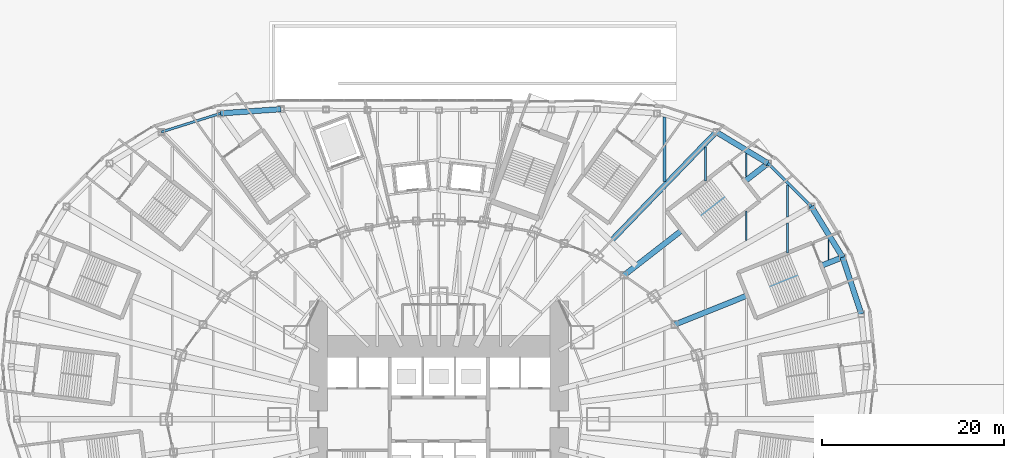
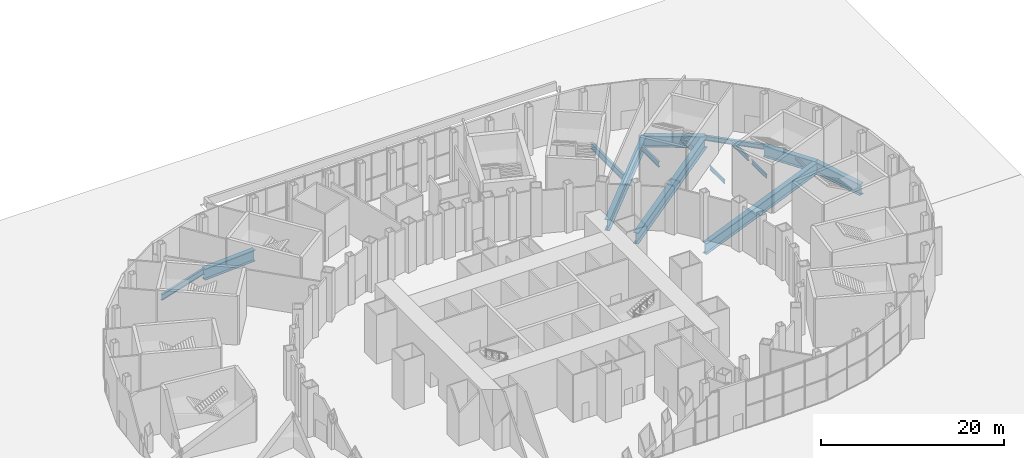
# One storey, part 10 of 47: 16 beams.
"""IFC4 building model written with IfcOpenShell, lengths in metres."""

from ifc_helpers import new_model, si_unit, direction, frame, origin, origin_2d, place, context, subcontext, project, spatial, i_section, extrude, material, material_profile, profile_set, type_object, element, save


model = new_model("IFC4")

# Units and contexts
model_context = context("Model", 3, precision=1e-05, world=origin(), true_north=direction((0.0, 1.0)))
body_context = subcontext(model_context, "Body", "Model", "MODEL_VIEW")
ifc_project = project(units=[si_unit("LENGTHUNIT", "METRE"), si_unit("AREAUNIT", "SQUARE_METRE"), si_unit("VOLUMEUNIT", "CUBIC_METRE"), si_unit("PLANEANGLEUNIT", "RADIAN"), si_unit("MASSUNIT", "GRAM", prefix="KILO")], contexts=[model_context])

# Site, building, storey
site_placement = place(None, origin())
site = spatial("IfcSite", under=ifc_project, at=site_placement, CompositionType="ELEMENT")
building_placement = place(site_placement, origin())
building = spatial("IfcBuilding", under=site, at=building_placement, Name="Lantaw Convention Tower", CompositionType="ELEMENT")
storey_placement = place(building_placement, origin())
storey = spatial("IfcBuildingStorey", under=building, at=storey_placement, Name="L00", CompositionType="ELEMENT", Elevation=0.0)

# Beams
ifc_material_1 = material(Name="Steel ASTM A572 Grade 50", Category="steel")
ifc_material_profile_1 = material_profile(ifc_material_1, i_section(OverallWidth=0.60009765625, OverallDepth=1.5, WebThickness=0.02490234375, FlangeThickness=0.06005859375, at=origin_2d()), Name="PG1500X600X25X60")
ifc_profile_set_1 = profile_set([ifc_material_profile_1], Name="Steel ASTM A572 Grade 50")
beam_type_1 = type_object("IfcBeamType", Name="Beam E PG1500X600X25X60", PredefinedType="SPANDREL", material=ifc_profile_set_1)
beam_1_placement = place(storey_placement, frame((46.342529296875, 11.554443359375, -1.199951171875), z_axis=(-0.312739573604, 0.949838912186, 0.0), x_axis=(-0.949838912186, -0.312739573604, 0.0)))
element("IfcBeam", 1, at=beam_1_placement, inside=storey, type_object=beam_type_1, Name="Podium edge beam R01", PredefinedType="SPANDREL", context=body_context, shape_type="SweptSolid", body=[
    extrude(i_section(OverallWidth=0.60009765625, OverallDepth=1.5, WebThickness=0.02490234375, FlangeThickness=0.06005859375, at=origin_2d()), origin(), (0.0, 0.0, 1.0), 6.55517578125),
])
beam_2_placement = place(storey_placement, frame((44.29248046875, 17.78076171875, -1.199951171875), z_axis=(-0.524178644867, 0.851608330317, 0.0), x_axis=(-0.851608330317, -0.524178644867, 0.0)))
element("IfcBeam", 2, at=beam_2_placement, inside=storey, type_object=beam_type_1, Name="Podium edge beam B01", PredefinedType="SPANDREL", context=body_context, shape_type="SweptSolid", body=[
    extrude(i_section(OverallWidth=0.60009765625, OverallDepth=1.5, WebThickness=0.02490234375, FlangeThickness=0.06005859375, at=origin_2d()), origin(), (0.0, 0.0, 1.0), 6.54052734375),
])
beam_3_placement = place(storey_placement, frame((36.107666015625, 28.081298828125, -1.199951171875), z_axis=(-0.855269526547, 0.518183400893, 0.0), x_axis=(-0.518183400893, -0.855269526547, 0.0)))
element("IfcBeam", 3, at=beam_3_placement, inside=storey, type_object=beam_type_1, Name="Podium edge beam B02", PredefinedType="SPANDREL", context=body_context, shape_type="SweptSolid", body=[
    extrude(i_section(OverallWidth=0.60009765625, OverallDepth=1.5, WebThickness=0.02490234375, FlangeThickness=0.06005859375, at=origin_2d()), origin(), (0.0, 0.0, 1.0), 6.63134765625),
])
beam_4_placement = place(storey_placement, frame((-17.333984375, 34.019775390625, -1.199951171875), z_axis=(-0.997615470709, -0.069017190627, 0.0), x_axis=(0.069017190627, -0.997615470709, 0.0)))
element("IfcBeam", 4, at=beam_4_placement, inside=storey, type_object=beam_type_1, Name="Podium edge beam R08", PredefinedType="SPANDREL", context=body_context, shape_type="SweptSolid", body=[
    extrude(i_section(OverallWidth=0.60009765625, OverallDepth=1.5, WebThickness=0.02490234375, FlangeThickness=0.06005859375, at=origin_2d()), origin(), (0.0, 0.0, 1.0), 6.6220703125),
])
ifc_material_2 = material(Name="Steel ASTM A992", Category="steel")
ifc_material_profile_2 = material_profile(ifc_material_2, i_section(OverallWidth=0.3251953125, OverallDepth=0.612060546875, WebThickness=0.0126953125, FlangeThickness=0.01904296875, FilletRadius=0.0126953125, at=origin_2d()), Name="W24X104")
ifc_profile_set_2 = profile_set([ifc_material_profile_2], Name="Steel ASTM A992")
beam_type_2 = type_object("IfcBeamType", Name="Beam E W24X104", PredefinedType="SPANDREL", material=ifc_profile_set_2)
beam_5_placement = place(storey_placement, frame((40.864013671875, 23.350830078125, -0.756103515625), z_axis=(-0.709033046271, 0.705175254314, 0.0), x_axis=(-0.705175254314, -0.709033046271, 0.0)))
element("IfcBeam", 5, at=beam_5_placement, inside=storey, type_object=beam_type_2, Name="Podium edge beam R02", PredefinedType="SPANDREL", context=body_context, shape_type="SweptSolid", body=[
    extrude(i_section(OverallWidth=0.3251953125, OverallDepth=0.612060546875, WebThickness=0.0126953125, FlangeThickness=0.01904296875, FilletRadius=0.0126953125, at=origin_2d()), origin(), (0.0, 0.0, 1.0), 6.708251953125),
])
ifc_material_profile_3 = material_profile(ifc_material_2, i_section(OverallWidth=0.2666015625, OverallDepth=0.76953125, WebThickness=0.015625, FlangeThickness=0.025390625, FilletRadius=0.0126953125, at=origin_2d()), Name="W30X132")
ifc_profile_set_3 = profile_set([ifc_material_profile_3], Name="Steel ASTM A992")
beam_type_3 = type_object("IfcBeamType", Name="Beam E W30X132", PredefinedType="SPANDREL", material=ifc_profile_set_3)
beam_6_placement = place(storey_placement, frame((-23.940185546875, 33.562744140625, -0.834716796875), z_axis=(-0.953841834513, -0.300309431643, 0.0), x_axis=(0.300309431643, -0.953841834513, 0.0)))
element("IfcBeam", 6, at=beam_6_placement, inside=storey, type_object=beam_type_3, Name="Podium edge beam B08", PredefinedType="SPANDREL", context=body_context, shape_type="SweptSolid", body=[
    extrude(i_section(OverallWidth=0.2666015625, OverallDepth=0.76953125, WebThickness=0.015625, FlangeThickness=0.025390625, FilletRadius=0.0126953125, at=origin_2d()), origin(), (0.0, 0.0, 1.0), 6.810302734375),
])
ifc_material_profile_4 = material_profile(ifc_material_2, i_section(OverallWidth=0.15234375, OverallDepth=0.449462890625, WebThickness=0.007568359375, FlangeThickness=0.0107421875, FilletRadius=0.01025390625, at=origin_2d()), Name="W18X35")
ifc_profile_set_4 = profile_set([ifc_material_profile_4], Name="Steel ASTM A992")
beam_type_4 = type_object("IfcBeamType", Name="Beam J W18X35", PredefinedType="JOIST", material=ifc_profile_set_4)
beam_7_placement = place(storey_placement, frame((42.75, 17.48486328125, -0.6748046875), z_axis=(0.0, 1.0, 0.0), x_axis=(-1.0, 0.0, 0.0)))
element("IfcBeam", 7, at=beam_7_placement, inside=storey, type_object=beam_type_4, Name="Floor joist", PredefinedType="JOIST", context=body_context, shape_type="SweptSolid", body=[
    extrude(i_section(OverallWidth=0.15234375, OverallDepth=0.449462890625, WebThickness=0.007568359375, FlangeThickness=0.0107421875, FilletRadius=0.01025390625, at=origin_2d()), origin(), (0.0, 0.0, 1.0), 2.2294921875),
])
ifc_material_profile_5 = material_profile(ifc_material_2, i_section(OverallWidth=0.1650390625, OverallDepth=0.52587890625, WebThickness=0.0087890625, FlangeThickness=0.011474609375, FilletRadius=0.0126953125, at=origin_2d()), Name="W21X44")
ifc_profile_set_5 = profile_set([ifc_material_profile_5], Name="Steel ASTM A992")
beam_type_5 = type_object("IfcBeamType", Name="Beam J W21X44", PredefinedType="JOIST", material=ifc_profile_set_5)
beam_8_placement = place(storey_placement, frame((33.75, 19.63134765625, -0.712890625), z_axis=(0.0, 1.0, 0.0), x_axis=(-1.0, 0.0, 0.0)))
element("IfcBeam", 8, at=beam_8_placement, inside=storey, type_object=beam_type_5, Name="Floor joist", PredefinedType="JOIST", context=body_context, shape_type="SweptSolid", body=[
    extrude(i_section(OverallWidth=0.1650390625, OverallDepth=0.52587890625, WebThickness=0.0087890625, FlangeThickness=0.011474609375, FilletRadius=0.0126953125, at=origin_2d()), origin(), (0.0, 0.0, 1.0), 3.19580078125),
])
beam_9_placement = place(storey_placement, frame((33.75, 26.627685546875, -0.712890625), z_axis=(0.0, 1.0, 0.0), x_axis=(-1.0, 0.0, 0.0)))
element("IfcBeam", 9, at=beam_9_placement, inside=storey, type_object=beam_type_5, Name="Floor joist", PredefinedType="JOIST", context=body_context, shape_type="SweptSolid", body=[
    extrude(i_section(OverallWidth=0.1650390625, OverallDepth=0.52587890625, WebThickness=0.0087890625, FlangeThickness=0.011474609375, FilletRadius=0.0126953125, at=origin_2d()), origin(), (0.0, 0.0, 1.0), 2.53125),
])
ifc_material_profile_6 = material_profile(ifc_material_2, i_section(OverallWidth=0.16650390625, OverallDepth=0.535888671875, WebThickness=0.01025390625, FlangeThickness=0.0166015625, FilletRadius=0.0126953125, at=origin_2d()), Name="W21X57")
ifc_profile_set_6 = profile_set([ifc_material_profile_6], Name="Steel ASTM A992")
beam_type_6 = type_object("IfcBeamType", Name="Beam J W21X57", PredefinedType="JOIST", material=ifc_profile_set_6)
beam_10_placement = place(storey_placement, frame((38.25, 18.264404296875, -0.718017578125), z_axis=(0.0, 1.0, 0.0), x_axis=(-1.0, 0.0, 0.0)))
element("IfcBeam", 10, at=beam_10_placement, inside=storey, type_object=beam_type_6, Name="Floor joist", PredefinedType="JOIST", context=body_context, shape_type="SweptSolid", body=[
    extrude(i_section(OverallWidth=0.16650390625, OverallDepth=0.535888671875, WebThickness=0.01025390625, FlangeThickness=0.0166015625, FilletRadius=0.0126953125, at=origin_2d()), origin(), (0.0, 0.0, 1.0), 3.247314453125),
])
ifc_material_profile_7 = material_profile(ifc_material_2, i_section(OverallWidth=0.227783203125, OverallDepth=0.60205078125, WebThickness=0.010498046875, FlangeThickness=0.014892578125, FilletRadius=0.012939453125, at=origin_2d()), Name="W24X68")
ifc_profile_set_7 = profile_set([ifc_material_profile_7], Name="Steel ASTM A992")
beam_type_7 = type_object("IfcBeamType", Name="Beam J W24X68", PredefinedType="JOIST", material=ifc_profile_set_7)
beam_11_placement = place(storey_placement, frame((38.25, 22.20263671875, -0.7509765625), z_axis=(0.0, 1.0, 0.0), x_axis=(-1.0, 0.0, 0.0)))
element("IfcBeam", 11, at=beam_11_placement, inside=storey, type_object=beam_type_7, Name="Floor joist", PredefinedType="JOIST", context=body_context, shape_type="SweptSolid", body=[
    extrude(i_section(OverallWidth=0.227783203125, OverallDepth=0.60205078125, WebThickness=0.010498046875, FlangeThickness=0.014892578125, FilletRadius=0.012939453125, at=origin_2d()), origin(), (0.0, 0.0, 1.0), 3.518798828125),
])
ifc_material_profile_8 = material_profile(ifc_material_2, i_section(OverallWidth=0.256591796875, OverallDepth=0.693359375, WebThickness=0.014404296875, FlangeThickness=0.023681640625, FilletRadius=0.01513671875, at=origin_2d()), Name="W27X114")
ifc_profile_set_8 = profile_set([ifc_material_profile_8], Name="Steel ASTM A992")
beam_type_8 = type_object("IfcBeamType", Name="Beam J W27X114", PredefinedType="JOIST", material=ifc_profile_set_8)
beam_12_placement = place(storey_placement, frame((29.25, 26.16845703125, -0.796630859375), z_axis=(0.0, 1.0, 0.0), x_axis=(-1.0, 0.0, 0.0)))
element("IfcBeam", 12, at=beam_12_placement, inside=storey, type_object=beam_type_8, Name="Floor joist", PredefinedType="JOIST", context=body_context, shape_type="SweptSolid", body=[
    extrude(i_section(OverallWidth=0.256591796875, OverallDepth=0.693359375, WebThickness=0.014404296875, FlangeThickness=0.023681640625, FilletRadius=0.01513671875, at=origin_2d()), origin(), (0.0, 0.0, 1.0), 3.68896484375),
])
ifc_material_profile_9 = material_profile(ifc_material_2, i_section(OverallWidth=0.2919921875, OverallDepth=0.845703125, WebThickness=0.015380859375, FlangeThickness=0.0244140625, FilletRadius=0.01513671875, at=origin_2d()), Name="W33X141")
ifc_profile_set_9 = profile_set([ifc_material_profile_9], Name="Steel ASTM A992")
beam_type_9 = type_object("IfcBeamType", Name="Beam J W33X141", PredefinedType="JOIST", material=ifc_profile_set_9)
beam_13_placement = place(storey_placement, frame((24.75, 26.061279296875, -0.872802734375), z_axis=(0.0, 1.0, 0.0), x_axis=(-1.0, 0.0, 0.0)))
element("IfcBeam", 13, at=beam_13_placement, inside=storey, type_object=beam_type_9, Name="Floor joist", PredefinedType="JOIST", context=body_context, shape_type="SweptSolid", body=[
    extrude(i_section(OverallWidth=0.2919921875, OverallDepth=0.845703125, WebThickness=0.015380859375, FlangeThickness=0.0244140625, FilletRadius=0.01513671875, at=origin_2d()), origin(), (0.0, 0.0, 1.0), 7.106689453125),
])
ifc_material_profile_10 = material_profile(ifc_material_1, i_section(OverallWidth=0.60009765625, OverallDepth=1.5, WebThickness=0.02490234375, FlangeThickness=0.06005859375, at=origin_2d()), Name="PG1500X600X25X60")
ifc_profile_set_10 = profile_set([ifc_material_profile_10], Name="Steel ASTM A572 Grade 50")
beam_type_10 = type_object("IfcBeamType", Name="Beam PG PG1500X600X25X60", PredefinedType="BEAM", material=ifc_profile_set_10)
beam_14_placement = place(storey_placement, frame((18.853759765625, 19.523681640625, -1.199951171875), z_axis=(0.694655397028, 0.719342671736, 0.0), x_axis=(-0.719342671736, 0.694655397028, 0.0)))
element("IfcBeam", 14, at=beam_14_placement, inside=storey, type_object=beam_type_10, Name="Podium girder PR04", PredefinedType="BEAM", context=body_context, shape_type="SweptSolid", body=[
    extrude(i_section(OverallWidth=0.60009765625, OverallDepth=1.5, WebThickness=0.02490234375, FlangeThickness=0.06005859375, at=origin_2d()), origin(), (0.0, 0.0, 1.0), 16.67333984375),
])
beam_15_placement = place(storey_placement, frame((25.8779296875, 10.388427734375, -1.199951171875), z_axis=(0.928015225832, 0.372542266897, 0.0), x_axis=(-0.372542266897, 0.928015225832, 0.0)))
element("IfcBeam", 15, at=beam_15_placement, inside=storey, type_object=beam_type_10, Name="Podium girder PB02", PredefinedType="BEAM", context=body_context, shape_type="SweptSolid", body=[
    extrude(i_section(OverallWidth=0.60009765625, OverallDepth=1.5, WebThickness=0.02490234375, FlangeThickness=0.06005859375, at=origin_2d()), origin(), (0.0, 0.0, 1.0), 19.843017578125),
])
beam_16_placement = place(storey_placement, frame((20.30859375, 15.794189453125, -1.199951171875), z_axis=(0.78937783277, 0.613907678019, 0.0), x_axis=(-0.613907678019, 0.78937783277, 0.0)))
element("IfcBeam", 16, at=beam_16_placement, inside=storey, type_object=beam_type_10, Name="Podium girder PB03", PredefinedType="BEAM", context=body_context, shape_type="SweptSolid", body=[
    extrude(i_section(OverallWidth=0.60009765625, OverallDepth=1.5, WebThickness=0.02490234375, FlangeThickness=0.06005859375, at=origin_2d()), origin(), (0.0, 0.0, 1.0), 20.0146484375),
])

save(model, "model.ifc")
